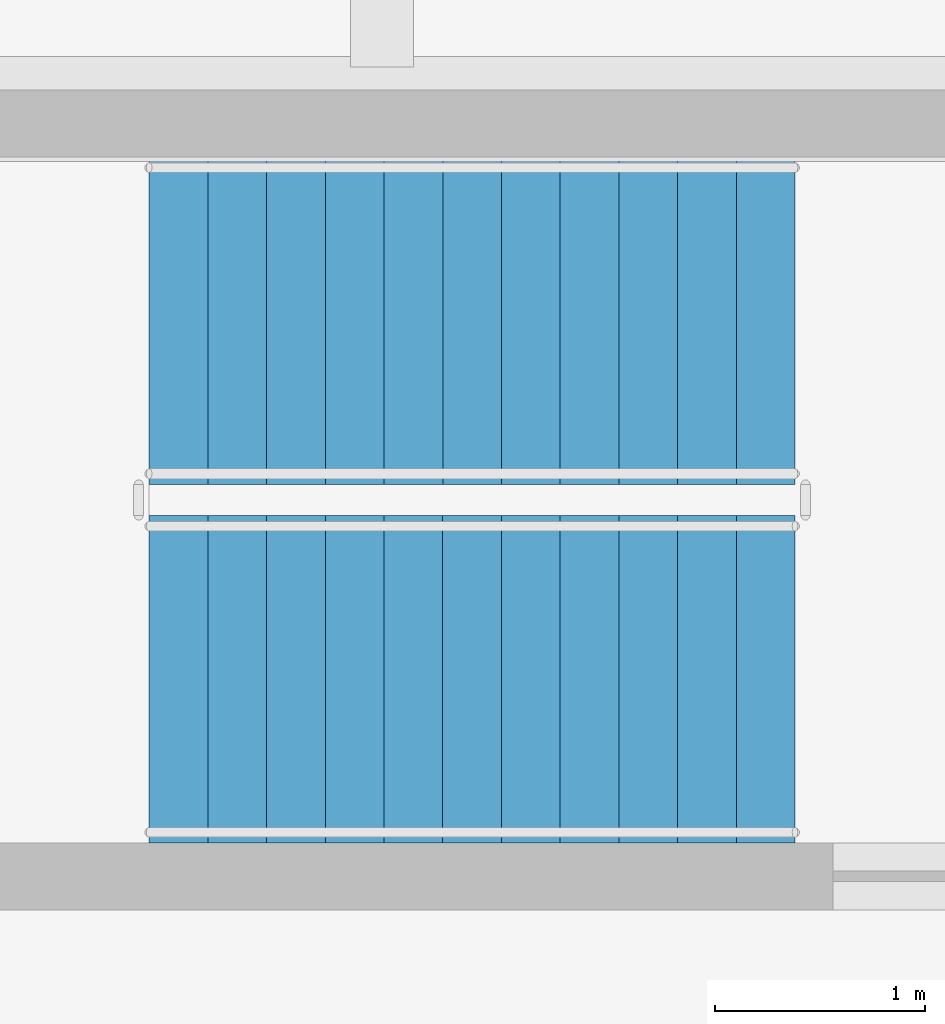
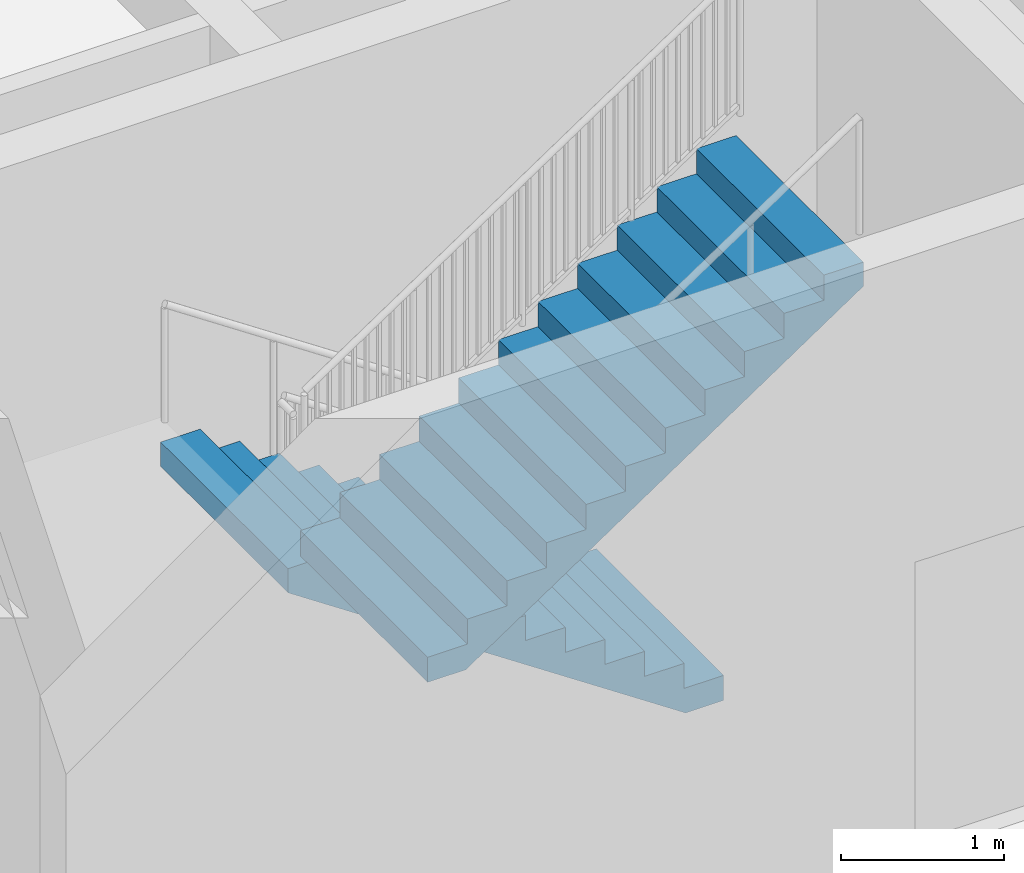
# One storey, part 44 of 49: 2 stair flights, 1 element without a shape of its own.
"""IFC4 building model written with IfcOpenShell, lengths in metres."""

from ifc_helpers import new_model, si_unit, direction, frame, origin, place, context, subcontext, project, spatial, polygons, material, type_object, element, aggregate, save


model = new_model("IFC4")

# Units and contexts
model_context = context("Model", 3, precision=1e-05, world=origin(), true_north=direction((0.0, 1.0)))
body_context = subcontext(model_context, "Body", "Model", "MODEL_VIEW")
ifc_project = project(units=[si_unit("LENGTHUNIT", "METRE"), si_unit("AREAUNIT", "SQUARE_METRE"), si_unit("VOLUMEUNIT", "CUBIC_METRE"), si_unit("PLANEANGLEUNIT", "RADIAN"), si_unit("MASSUNIT", "GRAM", prefix="KILO")], contexts=[model_context])

# Site, building, storey
site_placement = place(None, origin())
site = spatial("IfcSite", under=ifc_project, at=site_placement, CompositionType="ELEMENT")
building_placement = place(site_placement, origin())
building = spatial("IfcBuilding", under=site, at=building_placement, Name="Zantavel Square City Hall", CompositionType="ELEMENT")
storey_placement = place(building_placement, frame((0.0, 0.0, -4.5)))
storey = spatial("IfcBuildingStorey", under=building, at=storey_placement, Name="B1", CompositionType="ELEMENT", Elevation=-4.5)

# Stair, stair flights
ifc_material = material(Name="Concrete C35/45", Category="concrete")
stair_type = type_object("IfcStairType", Name="Enclosed Core Dogleg Stair B1 H4500", PredefinedType="HALF_TURN_STAIR", material=ifc_material)
stair_placement = place(storey_placement, origin())
stair = element("IfcStair", 1, at=stair_placement, inside=storey, type_object=stair_type, Name="B1 Exit Stair 2 North-East Core", PredefinedType="HALF_TURN_STAIR")
stair_flight_type = type_object("IfcStairFlightType", Name="Enclosed Core Stair Flight B1 W1560", PredefinedType="STRAIGHT", material=ifc_material)
stair_flight_1_placement = place(storey_placement, frame((117.969970703125, 82.590087890625, 0.0), z_axis=(0.0, 0.0, 1.0), x_axis=(-1.0, 0.0, 0.0)))
stair_flight_1 = element("IfcStairFlight", 2, at=stair_flight_1_placement, type_object=stair_flight_type, Name="ST2 flight 1", NumberOfRisers=12, NumberOfTreads=11, PredefinedType="STRAIGHT", RiserHeight=0.1875, TreadLength=0.28, context=body_context, shape_type="Tessellation", body=[
    polygons([(0.26953125, -0.780029296875, 0.0), (3.080078125, -0.780029296875, 1.882080078125), (3.080078125, -0.780029296875, 2.0625), (2.800048828125, -0.780029296875, 2.0625), (2.800048828125, -0.780029296875, 1.875), (2.52001953125, -0.780029296875, 1.875), (2.52001953125, -0.780029296875, 1.6875), (2.239990234375, -0.780029296875, 1.6875), (2.239990234375, -0.780029296875, 1.5), (1.9599609375, -0.780029296875, 1.5), (1.9599609375, -0.780029296875, 1.3125), (1.679931640625, -0.780029296875, 1.3125), (1.679931640625, -0.780029296875, 1.125), (1.39990234375, -0.780029296875, 1.125), (1.39990234375, -0.780029296875, 0.9375), (1.1201171875, -0.780029296875, 0.9375), (1.1201171875, -0.780029296875, 0.75), (0.840087890625, -0.780029296875, 0.75), (0.840087890625, -0.780029296875, 0.5625), (0.56005859375, -0.780029296875, 0.5625), (0.56005859375, -0.780029296875, 0.375), (0.280029296875, -0.780029296875, 0.375), (0.280029296875, -0.780029296875, 0.1875), (0.0, -0.780029296875, 0.1875), (0.0, -0.780029296875, 0.0), (0.26953125, -0.5849609375, 0.0), (3.080078125, -0.5849609375, 1.882080078125), (3.080078125, -0.5849609375, 2.0625), (2.800048828125, -0.5849609375, 2.0625), (2.800048828125, -0.5849609375, 1.875), (2.52001953125, -0.5849609375, 1.875), (2.52001953125, -0.5849609375, 1.6875), (2.239990234375, -0.5849609375, 1.6875), (2.239990234375, -0.5849609375, 1.5), (1.9599609375, -0.5849609375, 1.5), (1.9599609375, -0.5849609375, 1.3125), (1.679931640625, -0.5849609375, 1.3125), (1.679931640625, -0.5849609375, 1.125), (1.39990234375, -0.5849609375, 1.125), (1.39990234375, -0.5849609375, 0.9375), (1.1201171875, -0.5849609375, 0.9375), (1.1201171875, -0.5849609375, 0.75), (0.840087890625, -0.5849609375, 0.75), (0.840087890625, -0.5849609375, 0.5625), (0.56005859375, -0.5849609375, 0.5625), (0.56005859375, -0.5849609375, 0.375), (0.280029296875, -0.5849609375, 0.375), (0.280029296875, -0.5849609375, 0.1875), (0.0, -0.5849609375, 0.1875), (0.0, -0.5849609375, 0.0), (0.26953125, -0.39013671875, 0.0), (3.080078125, -0.39013671875, 1.882080078125), (3.080078125, -0.39013671875, 2.0625), (2.800048828125, -0.39013671875, 2.0625), (2.800048828125, -0.39013671875, 1.875), (2.52001953125, -0.39013671875, 1.875), (2.52001953125, -0.39013671875, 1.6875), (2.239990234375, -0.39013671875, 1.6875), (2.239990234375, -0.39013671875, 1.5), (1.9599609375, -0.39013671875, 1.5), (1.9599609375, -0.39013671875, 1.3125), (1.679931640625, -0.39013671875, 1.3125), (1.679931640625, -0.39013671875, 1.125), (1.39990234375, -0.39013671875, 1.125), (1.39990234375, -0.39013671875, 0.9375), (1.1201171875, -0.39013671875, 0.9375), (1.1201171875, -0.39013671875, 0.75), (0.840087890625, -0.39013671875, 0.75), (0.840087890625, -0.39013671875, 0.5625), (0.56005859375, -0.39013671875, 0.5625), (0.56005859375, -0.39013671875, 0.375), (0.280029296875, -0.39013671875, 0.375), (0.280029296875, -0.39013671875, 0.1875), (0.0, -0.39013671875, 0.1875), (0.0, -0.39013671875, 0.0), (0.26953125, -0.195068359375, 0.0), (3.080078125, -0.195068359375, 1.882080078125), (3.080078125, -0.195068359375, 2.0625), (2.800048828125, -0.195068359375, 2.0625), (2.800048828125, -0.195068359375, 1.875), (2.52001953125, -0.195068359375, 1.875), (2.52001953125, -0.195068359375, 1.6875), (2.239990234375, -0.195068359375, 1.6875), (2.239990234375, -0.195068359375, 1.5), (1.9599609375, -0.195068359375, 1.5), (1.9599609375, -0.195068359375, 1.3125), (1.679931640625, -0.195068359375, 1.3125), (1.679931640625, -0.195068359375, 1.125), (1.39990234375, -0.195068359375, 1.125), (1.39990234375, -0.195068359375, 0.9375), (1.1201171875, -0.195068359375, 0.9375), (1.1201171875, -0.195068359375, 0.75), (0.840087890625, -0.195068359375, 0.75), (0.840087890625, -0.195068359375, 0.5625), (0.56005859375, -0.195068359375, 0.5625), (0.56005859375, -0.195068359375, 0.375), (0.280029296875, -0.195068359375, 0.375), (0.280029296875, -0.195068359375, 0.1875), (0.0, -0.195068359375, 0.1875), (0.0, -0.195068359375, 0.0), (0.26953125, 0.0, 0.0), (3.080078125, 0.0, 1.882080078125), (3.080078125, 0.0, 2.0625), (2.800048828125, 0.0, 2.0625), (2.800048828125, 0.0, 1.875), (2.52001953125, 0.0, 1.875), (2.52001953125, 0.0, 1.6875), (2.239990234375, 0.0, 1.6875), (2.239990234375, 0.0, 1.5), (1.9599609375, 0.0, 1.5), (1.9599609375, 0.0, 1.3125), (1.679931640625, 0.0, 1.3125), (1.679931640625, 0.0, 1.125), (1.39990234375, 0.0, 1.125), (1.39990234375, 0.0, 0.9375), (1.1201171875, 0.0, 0.9375), (1.1201171875, 0.0, 0.75), (0.840087890625, 0.0, 0.75), (0.840087890625, 0.0, 0.5625), (0.56005859375, 0.0, 0.5625), (0.56005859375, 0.0, 0.375), (0.280029296875, 0.0, 0.375), (0.280029296875, 0.0, 0.1875), (0.0, 0.0, 0.1875), (0.0, 0.0, 0.0), (0.26953125, 0.195068359375, 0.0), (3.080078125, 0.195068359375, 1.882080078125), (3.080078125, 0.195068359375, 2.0625), (2.800048828125, 0.195068359375, 2.0625), (2.800048828125, 0.195068359375, 1.875), (2.52001953125, 0.195068359375, 1.875), (2.52001953125, 0.195068359375, 1.6875), (2.239990234375, 0.195068359375, 1.6875), (2.239990234375, 0.195068359375, 1.5), (1.9599609375, 0.195068359375, 1.5), (1.9599609375, 0.195068359375, 1.3125), (1.679931640625, 0.195068359375, 1.3125), (1.679931640625, 0.195068359375, 1.125), (1.39990234375, 0.195068359375, 1.125), (1.39990234375, 0.195068359375, 0.9375), (1.1201171875, 0.195068359375, 0.9375), (1.1201171875, 0.195068359375, 0.75), (0.840087890625, 0.195068359375, 0.75), (0.840087890625, 0.195068359375, 0.5625), (0.56005859375, 0.195068359375, 0.5625), (0.56005859375, 0.195068359375, 0.375), (0.280029296875, 0.195068359375, 0.375), (0.280029296875, 0.195068359375, 0.1875), (0.0, 0.195068359375, 0.1875), (0.0, 0.195068359375, 0.0), (0.26953125, 0.39013671875, 0.0), (3.080078125, 0.39013671875, 1.882080078125), (3.080078125, 0.39013671875, 2.0625), (2.800048828125, 0.39013671875, 2.0625), (2.800048828125, 0.39013671875, 1.875), (2.52001953125, 0.39013671875, 1.875), (2.52001953125, 0.39013671875, 1.6875), (2.239990234375, 0.39013671875, 1.6875), (2.239990234375, 0.39013671875, 1.5), (1.9599609375, 0.39013671875, 1.5), (1.9599609375, 0.39013671875, 1.3125), (1.679931640625, 0.39013671875, 1.3125), (1.679931640625, 0.39013671875, 1.125), (1.39990234375, 0.39013671875, 1.125), (1.39990234375, 0.39013671875, 0.9375), (1.1201171875, 0.39013671875, 0.9375), (1.1201171875, 0.39013671875, 0.75), (0.840087890625, 0.39013671875, 0.75), (0.840087890625, 0.39013671875, 0.5625), (0.56005859375, 0.39013671875, 0.5625), (0.56005859375, 0.39013671875, 0.375), (0.280029296875, 0.39013671875, 0.375), (0.280029296875, 0.39013671875, 0.1875), (0.0, 0.39013671875, 0.1875), (0.0, 0.39013671875, 0.0), (0.26953125, 0.5849609375, 0.0), (3.080078125, 0.5849609375, 1.882080078125), (3.080078125, 0.5849609375, 2.0625), (2.800048828125, 0.5849609375, 2.0625), (2.800048828125, 0.5849609375, 1.875), (2.52001953125, 0.5849609375, 1.875), (2.52001953125, 0.5849609375, 1.6875), (2.239990234375, 0.5849609375, 1.6875), (2.239990234375, 0.5849609375, 1.5), (1.9599609375, 0.5849609375, 1.5), (1.9599609375, 0.5849609375, 1.3125), (1.679931640625, 0.5849609375, 1.3125), (1.679931640625, 0.5849609375, 1.125), (1.39990234375, 0.5849609375, 1.125), (1.39990234375, 0.5849609375, 0.9375), (1.1201171875, 0.5849609375, 0.9375), (1.1201171875, 0.5849609375, 0.75), (0.840087890625, 0.5849609375, 0.75), (0.840087890625, 0.5849609375, 0.5625), (0.56005859375, 0.5849609375, 0.5625), (0.56005859375, 0.5849609375, 0.375), (0.280029296875, 0.5849609375, 0.375), (0.280029296875, 0.5849609375, 0.1875), (0.0, 0.5849609375, 0.1875), (0.0, 0.5849609375, 0.0), (0.26953125, 0.780029296875, 0.0), (3.080078125, 0.780029296875, 1.882080078125), (3.080078125, 0.780029296875, 2.0625), (2.800048828125, 0.780029296875, 2.0625), (2.800048828125, 0.780029296875, 1.875), (2.52001953125, 0.780029296875, 1.875), (2.52001953125, 0.780029296875, 1.6875), (2.239990234375, 0.780029296875, 1.6875), (2.239990234375, 0.780029296875, 1.5), (1.9599609375, 0.780029296875, 1.5), (1.9599609375, 0.780029296875, 1.3125), (1.679931640625, 0.780029296875, 1.3125), (1.679931640625, 0.780029296875, 1.125), (1.39990234375, 0.780029296875, 1.125), (1.39990234375, 0.780029296875, 0.9375), (1.1201171875, 0.780029296875, 0.9375), (1.1201171875, 0.780029296875, 0.75), (0.840087890625, 0.780029296875, 0.75), (0.840087890625, 0.780029296875, 0.5625), (0.56005859375, 0.780029296875, 0.5625), (0.56005859375, 0.780029296875, 0.375), (0.280029296875, 0.780029296875, 0.375), (0.280029296875, 0.780029296875, 0.1875), (0.0, 0.780029296875, 0.1875), (0.0, 0.780029296875, 0.0)], [[[1, 2, 3, 4, 5, 6, 7, 8, 9, 10, 11, 12, 13, 14, 15, 16, 17, 18, 19, 20, 21, 22, 23, 24, 25]], [[225, 224, 223, 222, 221, 220, 219, 218, 217, 216, 215, 214, 213, 212, 211, 210, 209, 208, 207, 206, 205, 204, 203, 202, 201]], [[1, 26, 27]], [[1, 27, 2]], [[2, 27, 28]], [[2, 28, 3]], [[3, 28, 29]], [[3, 29, 4]], [[4, 29, 30]], [[4, 30, 5]], [[5, 30, 31]], [[5, 31, 6]], [[6, 31, 32]], [[6, 32, 7]], [[7, 32, 33]], [[7, 33, 8]], [[8, 33, 34]], [[8, 34, 9]], [[9, 34, 35]], [[9, 35, 10]], [[10, 35, 36]], [[10, 36, 11]], [[11, 36, 37]], [[11, 37, 12]], [[12, 37, 38]], [[12, 38, 13]], [[13, 38, 39]], [[13, 39, 14]], [[14, 39, 40]], [[14, 40, 15]], [[15, 40, 41]], [[15, 41, 16]], [[16, 41, 42]], [[16, 42, 17]], [[17, 42, 43]], [[17, 43, 18]], [[18, 43, 44]], [[18, 44, 19]], [[19, 44, 45]], [[19, 45, 20]], [[20, 45, 46]], [[20, 46, 21]], [[21, 46, 47]], [[21, 47, 22]], [[22, 47, 48]], [[22, 48, 23]], [[23, 48, 49]], [[23, 49, 24]], [[24, 49, 50]], [[24, 50, 25]], [[25, 50, 26]], [[25, 26, 1]], [[26, 51, 52]], [[26, 52, 27]], [[27, 52, 53]], [[27, 53, 28]], [[28, 53, 54]], [[28, 54, 29]], [[29, 54, 55]], [[29, 55, 30]], [[30, 55, 56]], [[30, 56, 31]], [[31, 56, 57]], [[31, 57, 32]], [[32, 57, 58]], [[32, 58, 33]], [[33, 58, 59]], [[33, 59, 34]], [[34, 59, 60]], [[34, 60, 35]], [[35, 60, 61]], [[35, 61, 36]], [[36, 61, 62]], [[36, 62, 37]], [[37, 62, 63]], [[37, 63, 38]], [[38, 63, 64]], [[38, 64, 39]], [[39, 64, 65]], [[39, 65, 40]], [[40, 65, 66]], [[40, 66, 41]], [[41, 66, 67]], [[41, 67, 42]], [[42, 67, 68]], [[42, 68, 43]], [[43, 68, 69]], [[43, 69, 44]], [[44, 69, 70]], [[44, 70, 45]], [[45, 70, 71]], [[45, 71, 46]], [[46, 71, 72]], [[46, 72, 47]], [[47, 72, 73]], [[47, 73, 48]], [[48, 73, 74]], [[48, 74, 49]], [[49, 74, 75]], [[49, 75, 50]], [[50, 75, 51]], [[50, 51, 26]], [[51, 76, 77]], [[51, 77, 52]], [[52, 77, 78]], [[52, 78, 53]], [[53, 78, 79]], [[53, 79, 54]], [[54, 79, 80]], [[54, 80, 55]], [[55, 80, 81]], [[55, 81, 56]], [[56, 81, 82]], [[56, 82, 57]], [[57, 82, 83]], [[57, 83, 58]], [[58, 83, 84]], [[58, 84, 59]], [[59, 84, 85]], [[59, 85, 60]], [[60, 85, 86]], [[60, 86, 61]], [[61, 86, 87]], [[61, 87, 62]], [[62, 87, 88]], [[62, 88, 63]], [[63, 88, 89]], [[63, 89, 64]], [[64, 89, 90]], [[64, 90, 65]], [[65, 90, 91]], [[65, 91, 66]], [[66, 91, 92]], [[66, 92, 67]], [[67, 92, 93]], [[67, 93, 68]], [[68, 93, 94]], [[68, 94, 69]], [[69, 94, 95]], [[69, 95, 70]], [[70, 95, 96]], [[70, 96, 71]], [[71, 96, 97]], [[71, 97, 72]], [[72, 97, 98]], [[72, 98, 73]], [[73, 98, 99]], [[73, 99, 74]], [[74, 99, 100]], [[74, 100, 75]], [[75, 100, 76]], [[75, 76, 51]], [[76, 101, 102]], [[76, 102, 77]], [[77, 102, 103]], [[77, 103, 78]], [[78, 103, 104]], [[78, 104, 79]], [[79, 104, 105]], [[79, 105, 80]], [[80, 105, 106]], [[80, 106, 81]], [[81, 106, 107]], [[81, 107, 82]], [[82, 107, 108]], [[82, 108, 83]], [[83, 108, 109]], [[83, 109, 84]], [[84, 109, 110]], [[84, 110, 85]], [[85, 110, 111]], [[85, 111, 86]], [[86, 111, 112]], [[86, 112, 87]], [[87, 112, 113]], [[87, 113, 88]], [[88, 113, 114]], [[88, 114, 89]], [[89, 114, 115]], [[89, 115, 90]], [[90, 115, 116]], [[90, 116, 91]], [[91, 116, 117]], [[91, 117, 92]], [[92, 117, 118]], [[92, 118, 93]], [[93, 118, 119]], [[93, 119, 94]], [[94, 119, 120]], [[94, 120, 95]], [[95, 120, 121]], [[95, 121, 96]], [[96, 121, 122]], [[96, 122, 97]], [[97, 122, 123]], [[97, 123, 98]], [[98, 123, 124]], [[98, 124, 99]], [[99, 124, 125]], [[99, 125, 100]], [[100, 125, 101]], [[100, 101, 76]], [[101, 126, 102]], [[126, 127, 102]], [[102, 127, 103]], [[127, 128, 103]], [[103, 128, 104]], [[128, 129, 104]], [[104, 129, 105]], [[129, 130, 105]], [[105, 130, 106]], [[130, 131, 106]], [[106, 131, 107]], [[131, 132, 107]], [[107, 132, 108]], [[132, 133, 108]], [[108, 133, 109]], [[133, 134, 109]], [[109, 134, 110]], [[134, 135, 110]], [[110, 135, 111]], [[135, 136, 111]], [[111, 136, 112]], [[136, 137, 112]], [[112, 137, 113]], [[137, 138, 113]], [[113, 138, 114]], [[138, 139, 114]], [[114, 139, 115]], [[139, 140, 115]], [[115, 140, 116]], [[140, 141, 116]], [[116, 141, 117]], [[141, 142, 117]], [[117, 142, 118]], [[142, 143, 118]], [[118, 143, 119]], [[143, 144, 119]], [[119, 144, 120]], [[144, 145, 120]], [[120, 145, 121]], [[145, 146, 121]], [[121, 146, 122]], [[146, 147, 122]], [[122, 147, 123]], [[147, 148, 123]], [[123, 148, 124]], [[148, 149, 124]], [[124, 149, 125]], [[149, 150, 125]], [[125, 150, 101]], [[150, 126, 101]], [[126, 151, 127]], [[151, 152, 127]], [[127, 152, 128]], [[152, 153, 128]], [[128, 153, 129]], [[153, 154, 129]], [[129, 154, 130]], [[154, 155, 130]], [[130, 155, 131]], [[155, 156, 131]], [[131, 156, 132]], [[156, 157, 132]], [[132, 157, 133]], [[157, 158, 133]], [[133, 158, 134]], [[158, 159, 134]], [[134, 159, 135]], [[159, 160, 135]], [[135, 160, 136]], [[160, 161, 136]], [[136, 161, 137]], [[161, 162, 137]], [[137, 162, 138]], [[162, 163, 138]], [[138, 163, 139]], [[163, 164, 139]], [[139, 164, 140]], [[164, 165, 140]], [[140, 165, 141]], [[165, 166, 141]], [[141, 166, 142]], [[166, 167, 142]], [[142, 167, 143]], [[167, 168, 143]], [[143, 168, 144]], [[168, 169, 144]], [[144, 169, 145]], [[169, 170, 145]], [[145, 170, 146]], [[170, 171, 146]], [[146, 171, 147]], [[171, 172, 147]], [[147, 172, 148]], [[172, 173, 148]], [[148, 173, 149]], [[173, 174, 149]], [[149, 174, 150]], [[174, 175, 150]], [[150, 175, 126]], [[175, 151, 126]], [[151, 176, 152]], [[176, 177, 152]], [[152, 177, 153]], [[177, 178, 153]], [[153, 178, 154]], [[178, 179, 154]], [[154, 179, 155]], [[179, 180, 155]], [[155, 180, 156]], [[180, 181, 156]], [[156, 181, 157]], [[181, 182, 157]], [[157, 182, 158]], [[182, 183, 158]], [[158, 183, 159]], [[183, 184, 159]], [[159, 184, 160]], [[184, 185, 160]], [[160, 185, 161]], [[185, 186, 161]], [[161, 186, 162]], [[186, 187, 162]], [[162, 187, 163]], [[187, 188, 163]], [[163, 188, 164]], [[188, 189, 164]], [[164, 189, 165]], [[189, 190, 165]], [[165, 190, 166]], [[190, 191, 166]], [[166, 191, 167]], [[191, 192, 167]], [[167, 192, 168]], [[192, 193, 168]], [[168, 193, 169]], [[193, 194, 169]], [[169, 194, 170]], [[194, 195, 170]], [[170, 195, 171]], [[195, 196, 171]], [[171, 196, 172]], [[196, 197, 172]], [[172, 197, 173]], [[197, 198, 173]], [[173, 198, 174]], [[198, 199, 174]], [[174, 199, 175]], [[199, 200, 175]], [[175, 200, 151]], [[200, 176, 151]], [[176, 201, 177]], [[201, 202, 177]], [[177, 202, 178]], [[202, 203, 178]], [[178, 203, 179]], [[203, 204, 179]], [[179, 204, 180]], [[204, 205, 180]], [[180, 205, 181]], [[205, 206, 181]], [[181, 206, 182]], [[206, 207, 182]], [[182, 207, 183]], [[207, 208, 183]], [[183, 208, 184]], [[208, 209, 184]], [[184, 209, 185]], [[209, 210, 185]], [[185, 210, 186]], [[210, 211, 186]], [[186, 211, 187]], [[211, 212, 187]], [[187, 212, 188]], [[212, 213, 188]], [[188, 213, 189]], [[213, 214, 189]], [[189, 214, 190]], [[214, 215, 190]], [[190, 215, 191]], [[215, 216, 191]], [[191, 216, 192]], [[216, 217, 192]], [[192, 217, 193]], [[217, 218, 193]], [[193, 218, 194]], [[218, 219, 194]], [[194, 219, 195]], [[219, 220, 195]], [[195, 220, 196]], [[220, 221, 196]], [[196, 221, 197]], [[221, 222, 197]], [[197, 222, 198]], [[222, 223, 198]], [[198, 223, 199]], [[223, 224, 199]], [[199, 224, 200]], [[224, 225, 200]], [[200, 225, 176]], [[225, 201, 176]]], closed=True),
])
stair_flight_2_placement = place(storey_placement, frame((114.889892578125, 80.8798828125, 2.25), z_axis=(0.0, 0.0, 1.0), x_axis=(1.0, 0.0, 0.0)))
stair_flight_2 = element("IfcStairFlight", 3, at=stair_flight_2_placement, type_object=stair_flight_type, Name="ST2 flight 2", NumberOfRisers=12, NumberOfTreads=11, PredefinedType="STRAIGHT", RiserHeight=0.1875, TreadLength=0.28, context=body_context, shape_type="Tessellation", body=[
    polygons([(0.26953125, -0.780029296875, 0.0), (3.080078125, -0.780029296875, 1.882080078125), (3.080078125, -0.780029296875, 2.0625), (2.800048828125, -0.780029296875, 2.0625), (2.800048828125, -0.780029296875, 1.875), (2.52001953125, -0.780029296875, 1.875), (2.52001953125, -0.780029296875, 1.6875), (2.239990234375, -0.780029296875, 1.6875), (2.239990234375, -0.780029296875, 1.5), (1.9599609375, -0.780029296875, 1.5), (1.9599609375, -0.780029296875, 1.3125), (1.679931640625, -0.780029296875, 1.3125), (1.679931640625, -0.780029296875, 1.125), (1.39990234375, -0.780029296875, 1.125), (1.39990234375, -0.780029296875, 0.9375), (1.1201171875, -0.780029296875, 0.9375), (1.1201171875, -0.780029296875, 0.75), (0.840087890625, -0.780029296875, 0.75), (0.840087890625, -0.780029296875, 0.5625), (0.56005859375, -0.780029296875, 0.5625), (0.56005859375, -0.780029296875, 0.375), (0.280029296875, -0.780029296875, 0.375), (0.280029296875, -0.780029296875, 0.1875), (0.0, -0.780029296875, 0.1875), (0.0, -0.780029296875, 0.0), (0.26953125, -0.5849609375, 0.0), (3.080078125, -0.5849609375, 1.882080078125), (3.080078125, -0.5849609375, 2.0625), (2.800048828125, -0.5849609375, 2.0625), (2.800048828125, -0.5849609375, 1.875), (2.52001953125, -0.5849609375, 1.875), (2.52001953125, -0.5849609375, 1.6875), (2.239990234375, -0.5849609375, 1.6875), (2.239990234375, -0.5849609375, 1.5), (1.9599609375, -0.5849609375, 1.5), (1.9599609375, -0.5849609375, 1.3125), (1.679931640625, -0.5849609375, 1.3125), (1.679931640625, -0.5849609375, 1.125), (1.39990234375, -0.5849609375, 1.125), (1.39990234375, -0.5849609375, 0.9375), (1.1201171875, -0.5849609375, 0.9375), (1.1201171875, -0.5849609375, 0.75), (0.840087890625, -0.5849609375, 0.75), (0.840087890625, -0.5849609375, 0.5625), (0.56005859375, -0.5849609375, 0.5625), (0.56005859375, -0.5849609375, 0.375), (0.280029296875, -0.5849609375, 0.375), (0.280029296875, -0.5849609375, 0.1875), (0.0, -0.5849609375, 0.1875), (0.0, -0.5849609375, 0.0), (0.26953125, -0.39013671875, 0.0), (3.080078125, -0.39013671875, 1.882080078125), (3.080078125, -0.39013671875, 2.0625), (2.800048828125, -0.39013671875, 2.0625), (2.800048828125, -0.39013671875, 1.875), (2.52001953125, -0.39013671875, 1.875), (2.52001953125, -0.39013671875, 1.6875), (2.239990234375, -0.39013671875, 1.6875), (2.239990234375, -0.39013671875, 1.5), (1.9599609375, -0.39013671875, 1.5), (1.9599609375, -0.39013671875, 1.3125), (1.679931640625, -0.39013671875, 1.3125), (1.679931640625, -0.39013671875, 1.125), (1.39990234375, -0.39013671875, 1.125), (1.39990234375, -0.39013671875, 0.9375), (1.1201171875, -0.39013671875, 0.9375), (1.1201171875, -0.39013671875, 0.75), (0.840087890625, -0.39013671875, 0.75), (0.840087890625, -0.39013671875, 0.5625), (0.56005859375, -0.39013671875, 0.5625), (0.56005859375, -0.39013671875, 0.375), (0.280029296875, -0.39013671875, 0.375), (0.280029296875, -0.39013671875, 0.1875), (0.0, -0.39013671875, 0.1875), (0.0, -0.39013671875, 0.0), (0.26953125, -0.195068359375, 0.0), (3.080078125, -0.195068359375, 1.882080078125), (3.080078125, -0.195068359375, 2.0625), (2.800048828125, -0.195068359375, 2.0625), (2.800048828125, -0.195068359375, 1.875), (2.52001953125, -0.195068359375, 1.875), (2.52001953125, -0.195068359375, 1.6875), (2.239990234375, -0.195068359375, 1.6875), (2.239990234375, -0.195068359375, 1.5), (1.9599609375, -0.195068359375, 1.5), (1.9599609375, -0.195068359375, 1.3125), (1.679931640625, -0.195068359375, 1.3125), (1.679931640625, -0.195068359375, 1.125), (1.39990234375, -0.195068359375, 1.125), (1.39990234375, -0.195068359375, 0.9375), (1.1201171875, -0.195068359375, 0.9375), (1.1201171875, -0.195068359375, 0.75), (0.840087890625, -0.195068359375, 0.75), (0.840087890625, -0.195068359375, 0.5625), (0.56005859375, -0.195068359375, 0.5625), (0.56005859375, -0.195068359375, 0.375), (0.280029296875, -0.195068359375, 0.375), (0.280029296875, -0.195068359375, 0.1875), (0.0, -0.195068359375, 0.1875), (0.0, -0.195068359375, 0.0), (0.26953125, 0.0, 0.0), (3.080078125, 0.0, 1.882080078125), (3.080078125, 0.0, 2.0625), (2.800048828125, 0.0, 2.0625), (2.800048828125, 0.0, 1.875), (2.52001953125, 0.0, 1.875), (2.52001953125, 0.0, 1.6875), (2.239990234375, 0.0, 1.6875), (2.239990234375, 0.0, 1.5), (1.9599609375, 0.0, 1.5), (1.9599609375, 0.0, 1.3125), (1.679931640625, 0.0, 1.3125), (1.679931640625, 0.0, 1.125), (1.39990234375, 0.0, 1.125), (1.39990234375, 0.0, 0.9375), (1.1201171875, 0.0, 0.9375), (1.1201171875, 0.0, 0.75), (0.840087890625, 0.0, 0.75), (0.840087890625, 0.0, 0.5625), (0.56005859375, 0.0, 0.5625), (0.56005859375, 0.0, 0.375), (0.280029296875, 0.0, 0.375), (0.280029296875, 0.0, 0.1875), (0.0, 0.0, 0.1875), (0.0, 0.0, 0.0), (0.26953125, 0.195068359375, 0.0), (3.080078125, 0.195068359375, 1.882080078125), (3.080078125, 0.195068359375, 2.0625), (2.800048828125, 0.195068359375, 2.0625), (2.800048828125, 0.195068359375, 1.875), (2.52001953125, 0.195068359375, 1.875), (2.52001953125, 0.195068359375, 1.6875), (2.239990234375, 0.195068359375, 1.6875), (2.239990234375, 0.195068359375, 1.5), (1.9599609375, 0.195068359375, 1.5), (1.9599609375, 0.195068359375, 1.3125), (1.679931640625, 0.195068359375, 1.3125), (1.679931640625, 0.195068359375, 1.125), (1.39990234375, 0.195068359375, 1.125), (1.39990234375, 0.195068359375, 0.9375), (1.1201171875, 0.195068359375, 0.9375), (1.1201171875, 0.195068359375, 0.75), (0.840087890625, 0.195068359375, 0.75), (0.840087890625, 0.195068359375, 0.5625), (0.56005859375, 0.195068359375, 0.5625), (0.56005859375, 0.195068359375, 0.375), (0.280029296875, 0.195068359375, 0.375), (0.280029296875, 0.195068359375, 0.1875), (0.0, 0.195068359375, 0.1875), (0.0, 0.195068359375, 0.0), (0.26953125, 0.39013671875, 0.0), (3.080078125, 0.39013671875, 1.882080078125), (3.080078125, 0.39013671875, 2.0625), (2.800048828125, 0.39013671875, 2.0625), (2.800048828125, 0.39013671875, 1.875), (2.52001953125, 0.39013671875, 1.875), (2.52001953125, 0.39013671875, 1.6875), (2.239990234375, 0.39013671875, 1.6875), (2.239990234375, 0.39013671875, 1.5), (1.9599609375, 0.39013671875, 1.5), (1.9599609375, 0.39013671875, 1.3125), (1.679931640625, 0.39013671875, 1.3125), (1.679931640625, 0.39013671875, 1.125), (1.39990234375, 0.39013671875, 1.125), (1.39990234375, 0.39013671875, 0.9375), (1.1201171875, 0.39013671875, 0.9375), (1.1201171875, 0.39013671875, 0.75), (0.840087890625, 0.39013671875, 0.75), (0.840087890625, 0.39013671875, 0.5625), (0.56005859375, 0.39013671875, 0.5625), (0.56005859375, 0.39013671875, 0.375), (0.280029296875, 0.39013671875, 0.375), (0.280029296875, 0.39013671875, 0.1875), (0.0, 0.39013671875, 0.1875), (0.0, 0.39013671875, 0.0), (0.26953125, 0.5849609375, 0.0), (3.080078125, 0.5849609375, 1.882080078125), (3.080078125, 0.5849609375, 2.0625), (2.800048828125, 0.5849609375, 2.0625), (2.800048828125, 0.5849609375, 1.875), (2.52001953125, 0.5849609375, 1.875), (2.52001953125, 0.5849609375, 1.6875), (2.239990234375, 0.5849609375, 1.6875), (2.239990234375, 0.5849609375, 1.5), (1.9599609375, 0.5849609375, 1.5), (1.9599609375, 0.5849609375, 1.3125), (1.679931640625, 0.5849609375, 1.3125), (1.679931640625, 0.5849609375, 1.125), (1.39990234375, 0.5849609375, 1.125), (1.39990234375, 0.5849609375, 0.9375), (1.1201171875, 0.5849609375, 0.9375), (1.1201171875, 0.5849609375, 0.75), (0.840087890625, 0.5849609375, 0.75), (0.840087890625, 0.5849609375, 0.5625), (0.56005859375, 0.5849609375, 0.5625), (0.56005859375, 0.5849609375, 0.375), (0.280029296875, 0.5849609375, 0.375), (0.280029296875, 0.5849609375, 0.1875), (0.0, 0.5849609375, 0.1875), (0.0, 0.5849609375, 0.0), (0.26953125, 0.780029296875, 0.0), (3.080078125, 0.780029296875, 1.882080078125), (3.080078125, 0.780029296875, 2.0625), (2.800048828125, 0.780029296875, 2.0625), (2.800048828125, 0.780029296875, 1.875), (2.52001953125, 0.780029296875, 1.875), (2.52001953125, 0.780029296875, 1.6875), (2.239990234375, 0.780029296875, 1.6875), (2.239990234375, 0.780029296875, 1.5), (1.9599609375, 0.780029296875, 1.5), (1.9599609375, 0.780029296875, 1.3125), (1.679931640625, 0.780029296875, 1.3125), (1.679931640625, 0.780029296875, 1.125), (1.39990234375, 0.780029296875, 1.125), (1.39990234375, 0.780029296875, 0.9375), (1.1201171875, 0.780029296875, 0.9375), (1.1201171875, 0.780029296875, 0.75), (0.840087890625, 0.780029296875, 0.75), (0.840087890625, 0.780029296875, 0.5625), (0.56005859375, 0.780029296875, 0.5625), (0.56005859375, 0.780029296875, 0.375), (0.280029296875, 0.780029296875, 0.375), (0.280029296875, 0.780029296875, 0.1875), (0.0, 0.780029296875, 0.1875), (0.0, 0.780029296875, 0.0)], [[[1, 2, 3, 4, 5, 6, 7, 8, 9, 10, 11, 12, 13, 14, 15, 16, 17, 18, 19, 20, 21, 22, 23, 24, 25]], [[225, 224, 223, 222, 221, 220, 219, 218, 217, 216, 215, 214, 213, 212, 211, 210, 209, 208, 207, 206, 205, 204, 203, 202, 201]], [[1, 26, 27]], [[1, 27, 2]], [[2, 27, 28]], [[2, 28, 3]], [[3, 28, 29]], [[3, 29, 4]], [[4, 29, 30]], [[4, 30, 5]], [[5, 30, 31]], [[5, 31, 6]], [[6, 31, 32]], [[6, 32, 7]], [[7, 32, 33]], [[7, 33, 8]], [[8, 33, 34]], [[8, 34, 9]], [[9, 34, 35]], [[9, 35, 10]], [[10, 35, 36]], [[10, 36, 11]], [[11, 36, 37]], [[11, 37, 12]], [[12, 37, 38]], [[12, 38, 13]], [[13, 38, 39]], [[13, 39, 14]], [[14, 39, 40]], [[14, 40, 15]], [[15, 40, 41]], [[15, 41, 16]], [[16, 41, 42]], [[16, 42, 17]], [[17, 42, 43]], [[17, 43, 18]], [[18, 43, 44]], [[18, 44, 19]], [[19, 44, 45]], [[19, 45, 20]], [[20, 45, 46]], [[20, 46, 21]], [[21, 46, 47]], [[21, 47, 22]], [[22, 47, 48]], [[22, 48, 23]], [[23, 48, 49]], [[23, 49, 24]], [[24, 49, 50]], [[24, 50, 25]], [[25, 50, 26]], [[25, 26, 1]], [[26, 51, 52]], [[26, 52, 27]], [[27, 52, 53]], [[27, 53, 28]], [[28, 53, 54]], [[28, 54, 29]], [[29, 54, 55]], [[29, 55, 30]], [[30, 55, 56]], [[30, 56, 31]], [[31, 56, 57]], [[31, 57, 32]], [[32, 57, 58]], [[32, 58, 33]], [[33, 58, 59]], [[33, 59, 34]], [[34, 59, 60]], [[34, 60, 35]], [[35, 60, 61]], [[35, 61, 36]], [[36, 61, 62]], [[36, 62, 37]], [[37, 62, 63]], [[37, 63, 38]], [[38, 63, 64]], [[38, 64, 39]], [[39, 64, 65]], [[39, 65, 40]], [[40, 65, 66]], [[40, 66, 41]], [[41, 66, 67]], [[41, 67, 42]], [[42, 67, 68]], [[42, 68, 43]], [[43, 68, 69]], [[43, 69, 44]], [[44, 69, 70]], [[44, 70, 45]], [[45, 70, 71]], [[45, 71, 46]], [[46, 71, 72]], [[46, 72, 47]], [[47, 72, 73]], [[47, 73, 48]], [[48, 73, 74]], [[48, 74, 49]], [[49, 74, 75]], [[49, 75, 50]], [[50, 75, 51]], [[50, 51, 26]], [[51, 76, 77]], [[51, 77, 52]], [[52, 77, 78]], [[52, 78, 53]], [[53, 78, 79]], [[53, 79, 54]], [[54, 79, 80]], [[54, 80, 55]], [[55, 80, 81]], [[55, 81, 56]], [[56, 81, 82]], [[56, 82, 57]], [[57, 82, 83]], [[57, 83, 58]], [[58, 83, 84]], [[58, 84, 59]], [[59, 84, 85]], [[59, 85, 60]], [[60, 85, 86]], [[60, 86, 61]], [[61, 86, 87]], [[61, 87, 62]], [[62, 87, 88]], [[62, 88, 63]], [[63, 88, 89]], [[63, 89, 64]], [[64, 89, 90]], [[64, 90, 65]], [[65, 90, 91]], [[65, 91, 66]], [[66, 91, 92]], [[66, 92, 67]], [[67, 92, 93]], [[67, 93, 68]], [[68, 93, 94]], [[68, 94, 69]], [[69, 94, 95]], [[69, 95, 70]], [[70, 95, 96]], [[70, 96, 71]], [[71, 96, 97]], [[71, 97, 72]], [[72, 97, 98]], [[72, 98, 73]], [[73, 98, 99]], [[73, 99, 74]], [[74, 99, 100]], [[74, 100, 75]], [[75, 100, 76]], [[75, 76, 51]], [[76, 101, 102]], [[76, 102, 77]], [[77, 102, 103]], [[77, 103, 78]], [[78, 103, 104]], [[78, 104, 79]], [[79, 104, 105]], [[79, 105, 80]], [[80, 105, 106]], [[80, 106, 81]], [[81, 106, 107]], [[81, 107, 82]], [[82, 107, 108]], [[82, 108, 83]], [[83, 108, 109]], [[83, 109, 84]], [[84, 109, 110]], [[84, 110, 85]], [[85, 110, 111]], [[85, 111, 86]], [[86, 111, 112]], [[86, 112, 87]], [[87, 112, 113]], [[87, 113, 88]], [[88, 113, 114]], [[88, 114, 89]], [[89, 114, 115]], [[89, 115, 90]], [[90, 115, 116]], [[90, 116, 91]], [[91, 116, 117]], [[91, 117, 92]], [[92, 117, 118]], [[92, 118, 93]], [[93, 118, 119]], [[93, 119, 94]], [[94, 119, 120]], [[94, 120, 95]], [[95, 120, 121]], [[95, 121, 96]], [[96, 121, 122]], [[96, 122, 97]], [[97, 122, 123]], [[97, 123, 98]], [[98, 123, 124]], [[98, 124, 99]], [[99, 124, 125]], [[99, 125, 100]], [[100, 125, 101]], [[100, 101, 76]], [[101, 126, 102]], [[126, 127, 102]], [[102, 127, 103]], [[127, 128, 103]], [[103, 128, 104]], [[128, 129, 104]], [[104, 129, 105]], [[129, 130, 105]], [[105, 130, 106]], [[130, 131, 106]], [[106, 131, 107]], [[131, 132, 107]], [[107, 132, 108]], [[132, 133, 108]], [[108, 133, 109]], [[133, 134, 109]], [[109, 134, 110]], [[134, 135, 110]], [[110, 135, 111]], [[135, 136, 111]], [[111, 136, 112]], [[136, 137, 112]], [[112, 137, 113]], [[137, 138, 113]], [[113, 138, 114]], [[138, 139, 114]], [[114, 139, 115]], [[139, 140, 115]], [[115, 140, 116]], [[140, 141, 116]], [[116, 141, 117]], [[141, 142, 117]], [[117, 142, 118]], [[142, 143, 118]], [[118, 143, 119]], [[143, 144, 119]], [[119, 144, 120]], [[144, 145, 120]], [[120, 145, 121]], [[145, 146, 121]], [[121, 146, 122]], [[146, 147, 122]], [[122, 147, 123]], [[147, 148, 123]], [[123, 148, 124]], [[148, 149, 124]], [[124, 149, 125]], [[149, 150, 125]], [[125, 150, 101]], [[150, 126, 101]], [[126, 151, 127]], [[151, 152, 127]], [[127, 152, 128]], [[152, 153, 128]], [[128, 153, 129]], [[153, 154, 129]], [[129, 154, 130]], [[154, 155, 130]], [[130, 155, 131]], [[155, 156, 131]], [[131, 156, 132]], [[156, 157, 132]], [[132, 157, 133]], [[157, 158, 133]], [[133, 158, 134]], [[158, 159, 134]], [[134, 159, 135]], [[159, 160, 135]], [[135, 160, 136]], [[160, 161, 136]], [[136, 161, 137]], [[161, 162, 137]], [[137, 162, 138]], [[162, 163, 138]], [[138, 163, 139]], [[163, 164, 139]], [[139, 164, 140]], [[164, 165, 140]], [[140, 165, 141]], [[165, 166, 141]], [[141, 166, 142]], [[166, 167, 142]], [[142, 167, 143]], [[167, 168, 143]], [[143, 168, 144]], [[168, 169, 144]], [[144, 169, 145]], [[169, 170, 145]], [[145, 170, 146]], [[170, 171, 146]], [[146, 171, 147]], [[171, 172, 147]], [[147, 172, 148]], [[172, 173, 148]], [[148, 173, 149]], [[173, 174, 149]], [[149, 174, 150]], [[174, 175, 150]], [[150, 175, 126]], [[175, 151, 126]], [[151, 176, 152]], [[176, 177, 152]], [[152, 177, 153]], [[177, 178, 153]], [[153, 178, 154]], [[178, 179, 154]], [[154, 179, 155]], [[179, 180, 155]], [[155, 180, 156]], [[180, 181, 156]], [[156, 181, 157]], [[181, 182, 157]], [[157, 182, 158]], [[182, 183, 158]], [[158, 183, 159]], [[183, 184, 159]], [[159, 184, 160]], [[184, 185, 160]], [[160, 185, 161]], [[185, 186, 161]], [[161, 186, 162]], [[186, 187, 162]], [[162, 187, 163]], [[187, 188, 163]], [[163, 188, 164]], [[188, 189, 164]], [[164, 189, 165]], [[189, 190, 165]], [[165, 190, 166]], [[190, 191, 166]], [[166, 191, 167]], [[191, 192, 167]], [[167, 192, 168]], [[192, 193, 168]], [[168, 193, 169]], [[193, 194, 169]], [[169, 194, 170]], [[194, 195, 170]], [[170, 195, 171]], [[195, 196, 171]], [[171, 196, 172]], [[196, 197, 172]], [[172, 197, 173]], [[197, 198, 173]], [[173, 198, 174]], [[198, 199, 174]], [[174, 199, 175]], [[199, 200, 175]], [[175, 200, 151]], [[200, 176, 151]], [[176, 201, 177]], [[201, 202, 177]], [[177, 202, 178]], [[202, 203, 178]], [[178, 203, 179]], [[203, 204, 179]], [[179, 204, 180]], [[204, 205, 180]], [[180, 205, 181]], [[205, 206, 181]], [[181, 206, 182]], [[206, 207, 182]], [[182, 207, 183]], [[207, 208, 183]], [[183, 208, 184]], [[208, 209, 184]], [[184, 209, 185]], [[209, 210, 185]], [[185, 210, 186]], [[210, 211, 186]], [[186, 211, 187]], [[211, 212, 187]], [[187, 212, 188]], [[212, 213, 188]], [[188, 213, 189]], [[213, 214, 189]], [[189, 214, 190]], [[214, 215, 190]], [[190, 215, 191]], [[215, 216, 191]], [[191, 216, 192]], [[216, 217, 192]], [[192, 217, 193]], [[217, 218, 193]], [[193, 218, 194]], [[218, 219, 194]], [[194, 219, 195]], [[219, 220, 195]], [[195, 220, 196]], [[220, 221, 196]], [[196, 221, 197]], [[221, 222, 197]], [[197, 222, 198]], [[222, 223, 198]], [[198, 223, 199]], [[223, 224, 199]], [[199, 224, 200]], [[224, 225, 200]], [[200, 225, 176]], [[225, 201, 176]]], closed=True),
])
aggregate(stair, [stair_flight_1, stair_flight_2])

save(model, "model.ifc")
